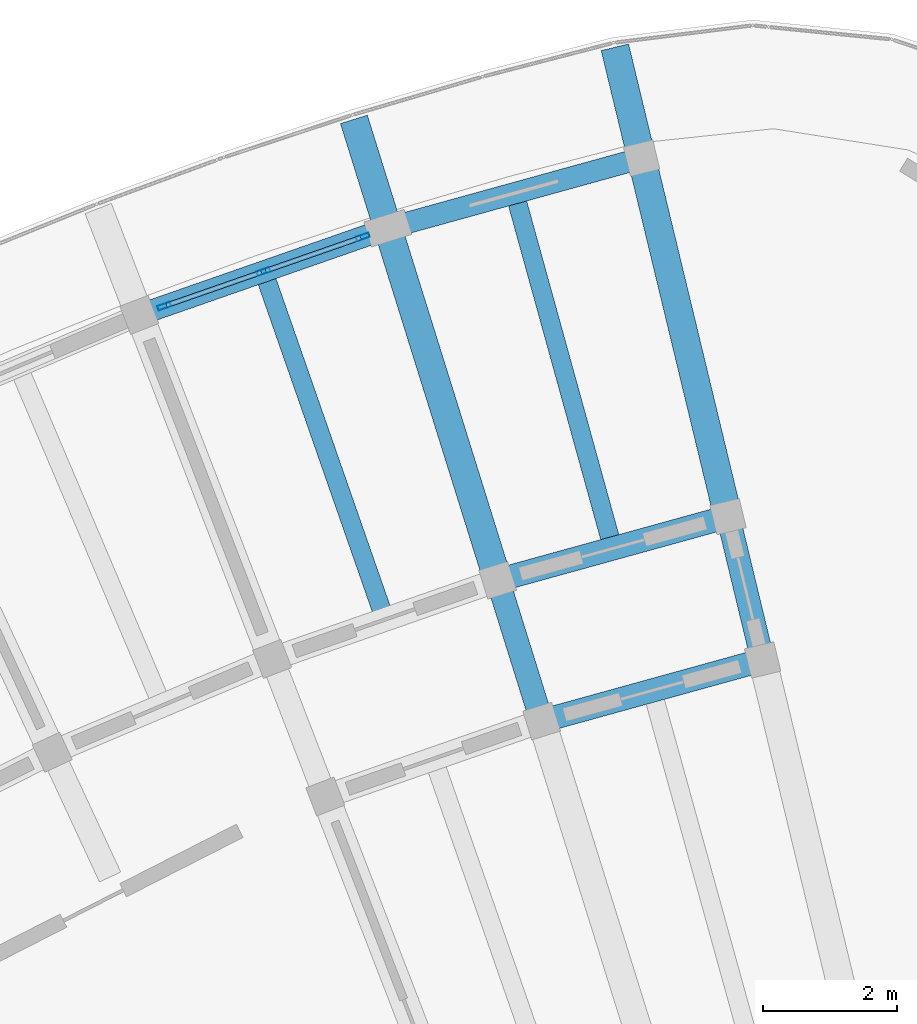
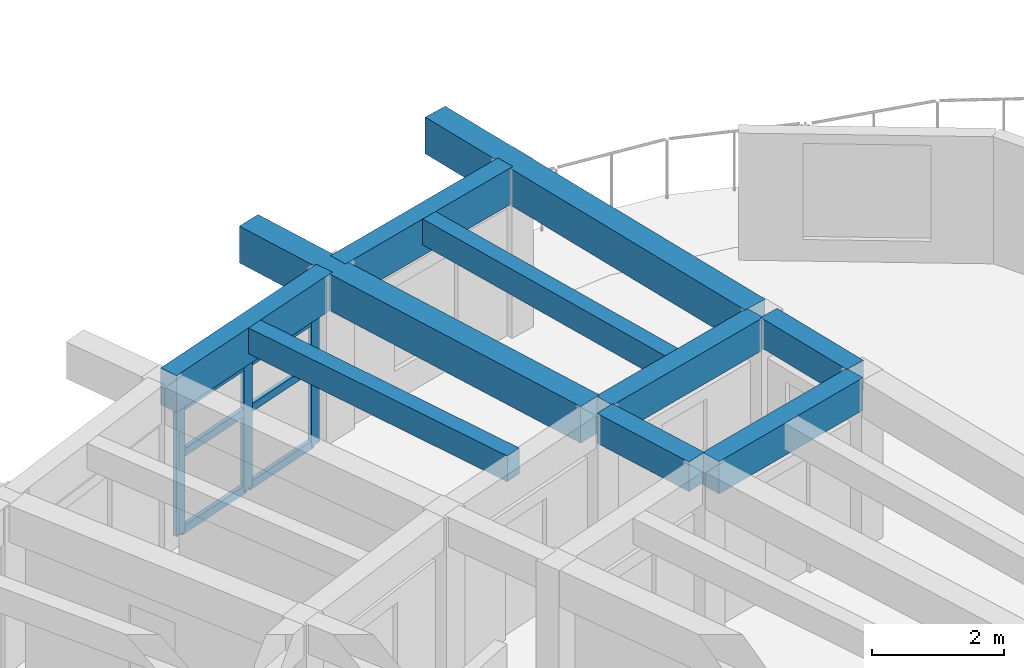
# One storey, part 7 of 36: 10 beams, 9 members, 1 element without a shape of its own.
"""IFC4 building model written with IfcOpenShell, lengths in metres."""

from ifc_helpers import new_model, si_unit, direction, frame, origin, origin_2d, place, context, subcontext, project, spatial, rectangle, hollow_rectangle, extrude, material, material_profile, profile_set, type_object, element, aggregate, save


model = new_model("IFC4")

# Units and contexts
model_context = context("Model", 3, precision=1e-05, world=origin(), true_north=direction((0.0, 1.0)))
body_context = subcontext(model_context, "Body", "Model", "MODEL_VIEW")
ifc_project = project(units=[si_unit("LENGTHUNIT", "METRE"), si_unit("AREAUNIT", "SQUARE_METRE"), si_unit("VOLUMEUNIT", "CUBIC_METRE"), si_unit("PLANEANGLEUNIT", "RADIAN"), si_unit("MASSUNIT", "GRAM", prefix="KILO")], contexts=[model_context])

# Site, building, storey
site_placement = place(None, origin())
site = spatial("IfcSite", under=ifc_project, at=site_placement, CompositionType="ELEMENT")
building_placement = place(site_placement, origin())
building = spatial("IfcBuilding", under=site, at=building_placement, Name="Tanwirah Colonnade Gardens", CompositionType="ELEMENT")
storey_placement = place(building_placement, frame((0.0, 0.0, 39.080078125)))
storey = spatial("IfcBuildingStorey", under=building, at=storey_placement, Name="L11", CompositionType="ELEMENT", Elevation=39.080078125)

# Beams
ifc_material_1 = material(Name="Precast concrete C40/50", Category="concrete")
ifc_material_profile_1 = material_profile(ifc_material_1, rectangle(XDim=0.35009765625, YDim=0.550048828125, at=origin_2d()), Name="PC-BM 350x550")
ifc_profile_set_1 = profile_set([ifc_material_profile_1], Name="Precast concrete C40/50")
beam_type_1 = type_object("IfcBeamType", Name="BM-PC350A", PredefinedType="BEAM", material=ifc_profile_set_1)
beam_1_placement = place(storey_placement, frame((52.811767578125, 110.75146484375, 2.844970703125), z_axis=(-0.234364199778, 0.972148868159, 0.0), x_axis=(-0.972148868159, -0.234364199778, 0.0)))
element("IfcBeam", 1, at=beam_1_placement, inside=storey, type_object=beam_type_1, Name="Block A L11 Corridor Tie Beam 2", PredefinedType="BEAM", context=body_context, shape_type="SweptSolid", body=[
    extrude(rectangle(XDim=0.35009765625, YDim=0.550048828125, at=origin_2d()), origin(), (0.0, 0.0, 1.0), 1.900146484375),
])
beam_2_placement = place(storey_placement, frame((49.507568359375, 109.838623046875, 2.844970703125), z_axis=(-0.297857918398, 0.954610213882, 0.0), x_axis=(-0.954610213882, -0.297857918398, 0.0)))
element("IfcBeam", 2, at=beam_2_placement, inside=storey, type_object=beam_type_1, Name="Block A L11 Corridor Tie Beam 3", PredefinedType="BEAM", context=body_context, shape_type="SweptSolid", body=[
    extrude(rectangle(XDim=0.35009765625, YDim=0.550048828125, at=origin_2d()), origin(), (0.0, 0.0, 1.0), 1.89990234375),
])
ifc_material_profile_2 = material_profile(ifc_material_1, rectangle(XDim=0.35009765625, YDim=0.60009765625, at=origin_2d()), Name="PC-BM 350x600")
ifc_profile_set_2 = profile_set([ifc_material_profile_2], Name="Precast concrete C40/50")
beam_type_2 = type_object("IfcBeamType", Name="BM-PC350B", PredefinedType="BEAM", material=ifc_profile_set_2)
beam_3_placement = place(storey_placement, frame((52.702392578125, 110.565673828125, 2.81982421875), z_axis=(-0.963894965188, -0.266282737114, 0.0), x_axis=(0.266282737114, -0.963894965188, 0.0)))
element("IfcBeam", 3, at=beam_3_placement, inside=storey, type_object=beam_type_2, Name="Block A L11 Circumferential Beam 2-R1", PredefinedType="BEAM", context=body_context, shape_type="SweptSolid", body=[
    extrude(rectangle(XDim=0.35009765625, YDim=0.60009765625, at=origin_2d()), origin(), (0.0, 0.0, 1.0), 3.1181640625),
])
beam_4_placement = place(storey_placement, frame((52.186767578125, 112.704345703125, 2.81982421875), z_axis=(-0.9638953302, -0.266281415833, 0.0), x_axis=(0.266281415833, -0.9638953302, 0.0)))
element("IfcBeam", 4, at=beam_4_placement, inside=storey, type_object=beam_type_2, Name="Block A L11 Circumferential Beam 2-R2", PredefinedType="BEAM", context=body_context, shape_type="SweptSolid", body=[
    extrude(rectangle(XDim=0.35009765625, YDim=0.60009765625, at=origin_2d()), origin(), (0.0, 0.0, 1.0), 3.26318359375),
])
ifc_material_2 = material(Name="Precast concrete C45/55", Category="concrete")
ifc_material_profile_3 = material_profile(ifc_material_2, rectangle(XDim=0.419921875, YDim=0.679931640625, at=origin_2d()), Name="PC-BM 420x680")
ifc_profile_set_3 = profile_set([ifc_material_profile_3], Name="Precast concrete C45/55")
beam_type_3 = type_object("IfcBeamType", Name="BM-PC420", PredefinedType="BEAM", material=ifc_profile_set_3)
beam_5_placement = place(storey_placement, frame((52.296142578125, 112.89013671875, 2.780029296875), z_axis=(-0.234378734126, 0.972145364125, 0.0), x_axis=(-0.972145364125, -0.234378734126, 0.0)))
element("IfcBeam", 5, at=beam_5_placement, inside=storey, type_object=beam_type_3, Name="Block A L11 Outer Radial Precast Girder 2", PredefinedType="BEAM", context=body_context, shape_type="SweptSolid", body=[
    extrude(rectangle(XDim=0.419921875, YDim=0.679931640625, at=origin_2d()), origin(), (0.0, 0.0, 1.0), 7.0498046875),
])
beam_6_placement = place(storey_placement, frame((48.852294921875, 111.938720703125, 2.780029296875), z_axis=(-0.297957513373, 0.954579132511, 0.0), x_axis=(-0.954579132511, -0.297957513373, 0.0)))
element("IfcBeam", 6, at=beam_6_placement, inside=storey, type_object=beam_type_3, Name="Block A L11 Outer Radial Precast Girder 3", PredefinedType="BEAM", context=body_context, shape_type="SweptSolid", body=[
    extrude(rectangle(XDim=0.419921875, YDim=0.679931640625, at=origin_2d()), origin(), (0.0, 0.0, 1.0), 7.050048828125),
])

# Curtain wall, members
ifc_material_3 = material(Name="Bronze-anodised aluminium and solar-control low-E glass", Category="aluminium")
curtain_wall_type = type_object("IfcCurtainWallType", Name="CW-LOB", PredefinedType="NOTDEFINED", material=ifc_material_3)
curtain_wall_placement = place(storey_placement, origin())
curtain_wall = element("IfcCurtainWall", 7, at=curtain_wall_placement, inside=storey, type_object=curtain_wall_type, Name="Curtain Wall CW-A-L11-OUT-03", PredefinedType="NOTDEFINED")
ifc_material_4 = material(Name="Bronze-anodised aluminium", Category="aluminium")
ifc_material_profile_4 = material_profile(ifc_material_4, hollow_rectangle(XDim=0.070068359375, YDim=0.199951171875, WallThickness=0.00390625, at=origin_2d()), Name="CW-MUL 70x200x4")
ifc_profile_set_4 = profile_set([ifc_material_profile_4], Name="Bronze-anodised aluminium")
member_type_1 = type_object("IfcMemberType", Name="CWM-70x200", PredefinedType="MULLION", material=ifc_profile_set_4)
member_1_placement = place(storey_placement, frame((46.88525390625, 116.91552734375, 0.0), z_axis=(0.0, 0.0, 1.0), x_axis=(0.329233165694, -0.944248655073, 0.0)))
member_1 = element("IfcMember", 8, at=member_1_placement, type_object=member_type_1, Name="CW-LOB mullion 1", PredefinedType="MULLION", context=body_context, shape_type="SweptSolid", body=[
    extrude(hollow_rectangle(XDim=0.070068359375, YDim=0.199951171875, WallThickness=0.00390625, at=origin_2d()), origin(), (0.0, 0.0, 1.0), 2.35498046875),
])
member_2_placement = place(storey_placement, frame((45.40478515625, 116.3994140625, 0.0), z_axis=(0.0, 0.0, 1.0), x_axis=(0.329233165694, -0.944248655073, 0.0)))
member_2 = element("IfcMember", 9, at=member_2_placement, type_object=member_type_1, Name="CW-LOB mullion 2", PredefinedType="MULLION", context=body_context, shape_type="SweptSolid", body=[
    extrude(hollow_rectangle(XDim=0.070068359375, YDim=0.199951171875, WallThickness=0.00390625, at=origin_2d()), origin(), (0.0, 0.0, 1.0), 2.35498046875),
])
member_3_placement = place(storey_placement, frame((43.92431640625, 115.88330078125, 0.0), z_axis=(0.0, 0.0, 1.0), x_axis=(0.329233165694, -0.944248655073, 0.0)))
member_3 = element("IfcMember", 10, at=member_3_placement, type_object=member_type_1, Name="CW-LOB mullion 3", PredefinedType="MULLION", context=body_context, shape_type="SweptSolid", body=[
    extrude(hollow_rectangle(XDim=0.070068359375, YDim=0.199951171875, WallThickness=0.00390625, at=origin_2d()), origin(), (0.0, 0.0, 1.0), 2.35498046875),
])
ifc_material_profile_5 = material_profile(ifc_material_4, hollow_rectangle(XDim=0.070068359375, YDim=0.14990234375, WallThickness=0.00390625, at=origin_2d()), Name="CW-TRN 70x150x4")
ifc_profile_set_5 = profile_set([ifc_material_profile_5], Name="Bronze-anodised aluminium")
member_type_2 = type_object("IfcMemberType", Name="CWT-70x150", PredefinedType="USERDEFINED", material=ifc_profile_set_5)
member_4_placement = place(storey_placement, frame((46.852294921875, 116.904052734375, 0.034912109375), z_axis=(-0.944241434118, -0.329253874835, 0.0), x_axis=(0.329253874835, -0.944241434118, 0.0)))
member_4 = element("IfcMember", 11, at=member_4_placement, type_object=member_type_2, Name="CW-LOB transom 1.1", ObjectType="TRANSOM", PredefinedType="USERDEFINED", context=body_context, shape_type="SweptSolid", body=[
    extrude(hollow_rectangle(XDim=0.070068359375, YDim=0.14990234375, WallThickness=0.00390625, at=origin_2d()), origin(), (0.0, 0.0, 1.0), 1.497802734375),
])
member_5_placement = place(storey_placement, frame((46.852294921875, 116.904052734375, 1.4599609375), z_axis=(-0.944241434118, -0.329253874835, 0.0), x_axis=(0.329253874835, -0.944241434118, 0.0)))
member_5 = element("IfcMember", 12, at=member_5_placement, type_object=member_type_2, Name="CW-LOB transom 1.2", ObjectType="TRANSOM", PredefinedType="USERDEFINED", context=body_context, shape_type="SweptSolid", body=[
    extrude(hollow_rectangle(XDim=0.070068359375, YDim=0.14990234375, WallThickness=0.00390625, at=origin_2d()), origin(), (0.0, 0.0, 1.0), 1.497802734375),
])
member_6_placement = place(storey_placement, frame((46.852294921875, 116.904052734375, 2.31982421875), z_axis=(-0.944241434118, -0.329253874835, 0.0), x_axis=(0.329253874835, -0.944241434118, 0.0)))
member_6 = element("IfcMember", 13, at=member_6_placement, type_object=member_type_2, Name="CW-LOB transom 1.3", ObjectType="TRANSOM", PredefinedType="USERDEFINED", context=body_context, shape_type="SweptSolid", body=[
    extrude(hollow_rectangle(XDim=0.070068359375, YDim=0.14990234375, WallThickness=0.00390625, at=origin_2d()), origin(), (0.0, 0.0, 1.0), 1.497802734375),
])
member_7_placement = place(storey_placement, frame((45.371826171875, 116.387939453125, 0.034912109375), z_axis=(-0.944241434118, -0.329253874835, 0.0), x_axis=(0.329253874835, -0.944241434118, 0.0)))
member_7 = element("IfcMember", 14, at=member_7_placement, type_object=member_type_2, Name="CW-LOB transom 2.1", ObjectType="TRANSOM", PredefinedType="USERDEFINED", context=body_context, shape_type="SweptSolid", body=[
    extrude(hollow_rectangle(XDim=0.070068359375, YDim=0.14990234375, WallThickness=0.00390625, at=origin_2d()), origin(), (0.0, 0.0, 1.0), 1.497802734375),
])
member_8_placement = place(storey_placement, frame((45.371826171875, 116.387939453125, 1.4599609375), z_axis=(-0.944241434118, -0.329253874835, 0.0), x_axis=(0.329253874835, -0.944241434118, 0.0)))
member_8 = element("IfcMember", 15, at=member_8_placement, type_object=member_type_2, Name="CW-LOB transom 2.2", ObjectType="TRANSOM", PredefinedType="USERDEFINED", context=body_context, shape_type="SweptSolid", body=[
    extrude(hollow_rectangle(XDim=0.070068359375, YDim=0.14990234375, WallThickness=0.00390625, at=origin_2d()), origin(), (0.0, 0.0, 1.0), 1.497802734375),
])
member_9_placement = place(storey_placement, frame((45.371826171875, 116.387939453125, 2.31982421875), z_axis=(-0.944241434118, -0.329253874835, 0.0), x_axis=(0.329253874835, -0.944241434118, 0.0)))
member_9 = element("IfcMember", 16, at=member_9_placement, type_object=member_type_2, Name="CW-LOB transom 2.3", ObjectType="TRANSOM", PredefinedType="USERDEFINED", context=body_context, shape_type="SweptSolid", body=[
    extrude(hollow_rectangle(XDim=0.070068359375, YDim=0.14990234375, WallThickness=0.00390625, at=origin_2d()), origin(), (0.0, 0.0, 1.0), 1.497802734375),
])
aggregate(curtain_wall, [member_1, member_2, member_3, member_4, member_5, member_6, member_7, member_8, member_9])

# Beams
ifc_material_profile_6 = material_profile(ifc_material_1, rectangle(XDim=0.280029296875, YDim=0.47998046875, at=origin_2d()), Name="PC-JST 280x480")
ifc_profile_set_6 = profile_set([ifc_material_profile_6], Name="Precast concrete C40/50")
beam_type_4 = type_object("IfcBeamType", Name="JST-PC280", PredefinedType="JOIST", material=ifc_profile_set_6)
for number, where, z_axis, x_axis, name in (
    (17, (50.57421875, 112.413818359375, 2.8798828125), (-0.266281476085, 0.963895313555, 0.0), (-0.963895313555, -0.266281476085, 0.0), "Block A L11 Precast Floor Joist 2"),
    (18, (47.16552734375, 111.349853515625, 2.8798828125), (-0.3292586038, 0.944239785131, 0.0), (-0.944239785131, -0.3292586038, 0.0), "Block A L11 Precast Floor Joist 3"),
):
    element("IfcBeam", number, at=place(storey_placement, frame(where, z_axis=z_axis, x_axis=x_axis)), inside=storey, type_object=beam_type_4, Name=name, PredefinedType="JOIST", context=body_context, shape_type="SweptSolid", body=[
        extrude(rectangle(XDim=0.280029296875, YDim=0.47998046875, at=origin_2d()), origin(), (0.0, 0.0, 1.0), 5.260009765625),
    ])
ifc_material_profile_7 = material_profile(ifc_material_2, rectangle(XDim=0.320068359375, YDim=0.679931640625, at=origin_2d()), Name="PC-SP 320x680")
ifc_profile_set_7 = profile_set([ifc_material_profile_7], Name="Precast concrete C45/55")
beam_type_5 = type_object("IfcBeamType", Name="SP-PC320", PredefinedType="SPANDREL", material=ifc_profile_set_7)
for number, where, z_axis, x_axis, name in (
    (19, (50.897705078125, 118.05126953125, 2.780029296875), (-0.963888380927, -0.266306569792, 0.0), (0.266306569792, -0.963888380927, 0.0), "Block A L11 Circumferential Beam 2-R3"),
    (20, (47.11669921875, 116.996337890625, 2.780029296875), (-0.944236700093, -0.329267450863, 0.0), (0.329267450863, -0.944236700093, 0.0), "Block A L11 Circumferential Beam 3-R3"),
):
    element("IfcBeam", number, at=place(storey_placement, frame(where, z_axis=z_axis, x_axis=x_axis)), inside=storey, type_object=beam_type_5, Name=name, PredefinedType="SPANDREL", context=body_context, shape_type="SweptSolid", body=[
        extrude(rectangle(XDim=0.320068359375, YDim=0.679931640625, at=origin_2d()), origin(), (0.0, 0.0, 1.0), 3.625732421875),
    ])

save(model, "model.ifc")
